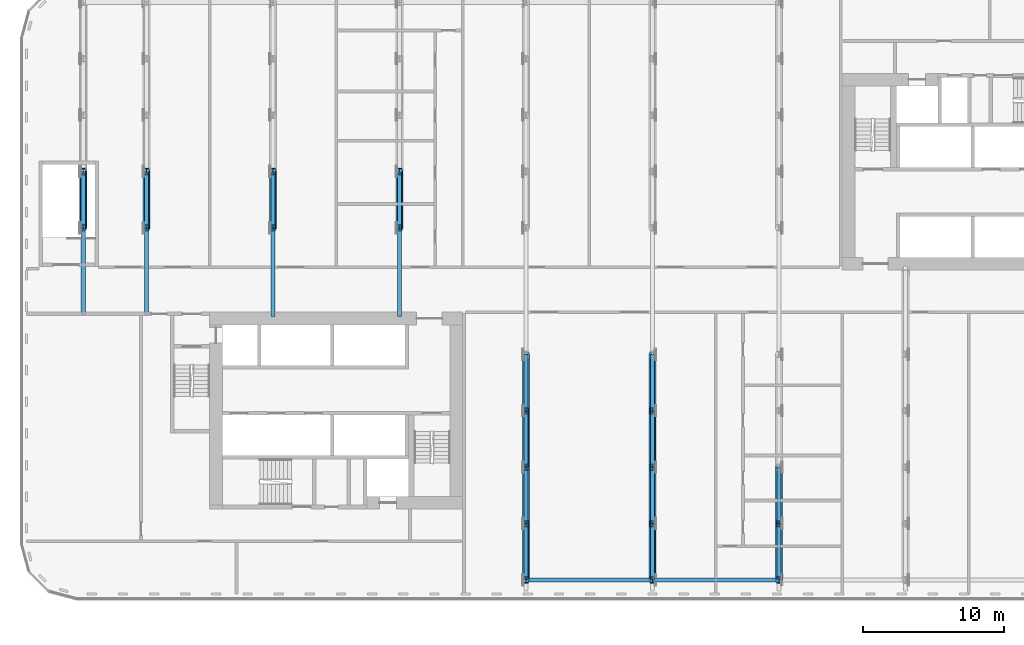
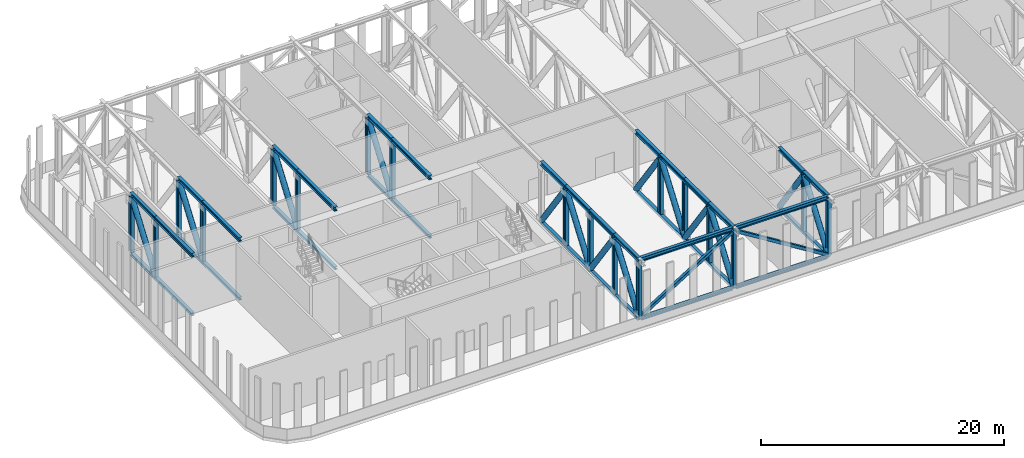
# One storey, part 1 of 26: 74 members.
"""IFC4 building model written with IfcOpenShell, lengths in metres."""

from ifc_helpers import new_model, si_unit, direction, frame, origin, origin_2d, place, context, subcontext, project, spatial, hollow_rectangle, hollow_circle, i_section, extrude, material, material_profile, profile_set, type_object, element, save


model = new_model("IFC4")

# Units and contexts
model_context = context("Model", 3, precision=1e-05, world=origin(), true_north=direction((0.0, 1.0)))
body_context = subcontext(model_context, "Body", "Model", "MODEL_VIEW")
ifc_project = project(units=[si_unit("LENGTHUNIT", "METRE"), si_unit("AREAUNIT", "SQUARE_METRE"), si_unit("VOLUMEUNIT", "CUBIC_METRE"), si_unit("PLANEANGLEUNIT", "RADIAN"), si_unit("MASSUNIT", "GRAM", prefix="KILO")], contexts=[model_context])

# Site, building, storey
site_placement = place(None, origin())
site = spatial("IfcSite", under=ifc_project, at=site_placement, CompositionType="ELEMENT")
building_placement = place(site_placement, origin())
building = spatial("IfcBuilding", under=site, at=building_placement, Name="Kajstack Hotel Tower", CompositionType="ELEMENT")
storey_placement = place(building_placement, frame((0.0, 0.0, 47.0)))
storey = spatial("IfcBuildingStorey", under=building, at=storey_placement, Name="L07", CompositionType="ELEMENT", Elevation=47.0)

# Members
ifc_material = material(Name="Steel S355J2", Category="steel")
ifc_material_profile_1 = material_profile(ifc_material, i_section(OverallWidth=0.300048828125, OverallDepth=0.300048828125, WebThickness=0.010986328125, FlangeThickness=0.01904296875, FilletRadius=0.027099609375, at=origin_2d()), Name="HEB 300")
ifc_profile_set_1 = profile_set([ifc_material_profile_1], Name="Steel S355J2")
member_type_1 = type_object("IfcMemberType", Name="Belt truss bottom chord BB1 HEB 300", PredefinedType="CHORD", material=ifc_profile_set_1)
for number, where, z_axis, x_axis, name in (
    (1, (-8.85009765625, -20.550048828125, -0.14990234375), (1.0, 0.0, 0.0), (0.0, 1.0, 0.0), "S-belt-truss-L07-s05-b"),
    (2, (0.14990234375, -20.550048828125, -0.14990234375), (1.0, 0.0, 0.0), (0.0, 1.0, 0.0), "S-belt-truss-L07-s06-b"),
):
    element("IfcMember", number, at=place(storey_placement, frame(where, z_axis=z_axis, x_axis=x_axis)), inside=storey, type_object=member_type_1, Name=name, PredefinedType="CHORD", context=body_context, shape_type="SweptSolid", body=[
        extrude(i_section(OverallWidth=0.300048828125, OverallDepth=0.300048828125, WebThickness=0.010986328125, FlangeThickness=0.01904296875, FilletRadius=0.027099609375, at=origin_2d()), origin(), (0.0, 0.0, 1.0), 8.7001953125),
    ])
ifc_material_profile_2 = material_profile(ifc_material, hollow_rectangle(XDim=0.300048828125, YDim=0.300048828125, WallThickness=0.01611328125, InnerFilletRadius=0.01611328125, OuterFilletRadius=0.02392578125, at=origin_2d()), Name="SHS 300x300x16")
ifc_profile_set_2 = profile_set([ifc_material_profile_2], Name="Steel S355J2")
member_type_2 = type_object("IfcMemberType", Name="Belt truss diagonal BD1 SHS 300x300x16", PredefinedType="BRACE", material=ifc_profile_set_2)
for number, where, z_axis, x_axis, name in (
    (3, (-9.0, -20.550048828125, 0.0), (0.849052471267, 0.0, 0.528308528264), (0.0, 1.0, 0.0), "S-belt-truss-L07-s05-d"),
    (4, (9.0, -20.550048828125, 0.0), (-0.849052471267, 0.0, 0.528308528264), (0.0, -1.0, 0.0), "S-belt-truss-L07-s06-d"),
):
    element("IfcMember", number, at=place(storey_placement, frame(where, z_axis=z_axis, x_axis=x_axis)), inside=storey, type_object=member_type_2, Name=name, PredefinedType="BRACE", context=body_context, shape_type="SweptSolid", body=[
        extrude(hollow_rectangle(XDim=0.300048828125, YDim=0.300048828125, WallThickness=0.01611328125, InnerFilletRadius=0.01611328125, OuterFilletRadius=0.02392578125, at=origin_2d()), origin(), (0.0, 0.0, 1.0), 10.60009765625),
    ])
ifc_material_profile_3 = material_profile(ifc_material, i_section(OverallWidth=0.300048828125, OverallDepth=0.39990234375, WebThickness=0.013427734375, FlangeThickness=0.02392578125, FilletRadius=0.027099609375, at=origin_2d()), Name="HEB 400")
ifc_profile_set_3 = profile_set([ifc_material_profile_3], Name="Steel S355J2")
member_type_3 = type_object("IfcMemberType", Name="Belt truss top chord BT1 HEB 400", PredefinedType="CHORD", material=ifc_profile_set_3)
for number, where, z_axis, x_axis, name in (
    (5, (-8.85009765625, -20.550048828125, 5.800048828125), (1.0, 0.0, 0.0), (0.0, 1.0, 0.0), "S-belt-truss-L07-s05-t"),
    (6, (0.14990234375, -20.550048828125, 5.800048828125), (1.0, 0.0, 0.0), (0.0, 1.0, 0.0), "S-belt-truss-L07-s06-t"),
):
    element("IfcMember", number, at=place(storey_placement, frame(where, z_axis=z_axis, x_axis=x_axis)), inside=storey, type_object=member_type_3, Name=name, PredefinedType="CHORD", context=body_context, shape_type="SweptSolid", body=[
        extrude(i_section(OverallWidth=0.300048828125, OverallDepth=0.39990234375, WebThickness=0.013427734375, FlangeThickness=0.02392578125, FilletRadius=0.027099609375, at=origin_2d()), origin(), (0.0, 0.0, 1.0), 8.7001953125),
    ])
ifc_material_profile_4 = material_profile(ifc_material, i_section(OverallWidth=0.300048828125, OverallDepth=0.300048828125, WebThickness=0.010986328125, FlangeThickness=0.01904296875, FilletRadius=0.027099609375, at=origin_2d()), Name="HEB 300")
ifc_profile_set_4 = profile_set([ifc_material_profile_4], Name="Steel S355J2")
member_type_4 = type_object("IfcMemberType", Name="Transfer truss bottom chord BC1 HEB 300", PredefinedType="CHORD", material=ifc_profile_set_4)
member_1_placement = place(storey_placement, frame((-40.5, -1.64990234375, -0.14990234375), z_axis=(0.0, 1.0, 0.0), x_axis=(-1.0, 0.0, 0.0)))
element("IfcMember", 7, at=member_1_placement, inside=storey, type_object=member_type_4, Name="S-transfer-truss-L07--40p5-1-bc7", PredefinedType="CHORD", context=body_context, shape_type="SweptSolid", body=[
    extrude(i_section(OverallWidth=0.300048828125, OverallDepth=0.300048828125, WebThickness=0.010986328125, FlangeThickness=0.01904296875, FilletRadius=0.027099609375, at=origin_2d()), origin(), (0.0, 0.0, 1.0), 6.14990234375),
])
member_2_placement = place(storey_placement, frame((-40.5, 4.5, -0.14990234375), z_axis=(0.0, 1.0, 0.0), x_axis=(-1.0, 0.0, 0.0)))
element("IfcMember", 8, at=member_2_placement, inside=storey, type_object=member_type_4, Name="S-transfer-truss-L07--40p5-1-bc8", PredefinedType="CHORD", context=body_context, shape_type="SweptSolid", body=[
    extrude(i_section(OverallWidth=0.300048828125, OverallDepth=0.300048828125, WebThickness=0.010986328125, FlangeThickness=0.01904296875, FilletRadius=0.027099609375, at=origin_2d()), origin(), (0.0, 0.0, 1.0), 4.012451171875),
])
member_3_placement = place(storey_placement, frame((-36.0, -1.64990234375, -0.14990234375), z_axis=(0.0, 1.0, 0.0), x_axis=(-1.0, 0.0, 0.0)))
element("IfcMember", 9, at=member_3_placement, inside=storey, type_object=member_type_4, Name="S-transfer-truss-L07--36p0-1-bc7", PredefinedType="CHORD", context=body_context, shape_type="SweptSolid", body=[
    extrude(i_section(OverallWidth=0.300048828125, OverallDepth=0.300048828125, WebThickness=0.010986328125, FlangeThickness=0.01904296875, FilletRadius=0.027099609375, at=origin_2d()), origin(), (0.0, 0.0, 1.0), 6.14990234375),
])
member_4_placement = place(storey_placement, frame((-36.0, 4.5, -0.14990234375), z_axis=(0.0, 1.0, 0.0), x_axis=(-1.0, 0.0, 0.0)))
element("IfcMember", 10, at=member_4_placement, inside=storey, type_object=member_type_4, Name="S-transfer-truss-L07--36p0-1-bc8", PredefinedType="CHORD", context=body_context, shape_type="SweptSolid", body=[
    extrude(i_section(OverallWidth=0.300048828125, OverallDepth=0.300048828125, WebThickness=0.010986328125, FlangeThickness=0.01904296875, FilletRadius=0.027099609375, at=origin_2d()), origin(), (0.0, 0.0, 1.0), 4.012451171875),
])
member_5_placement = place(storey_placement, frame((-27.0, -1.800048828125, -0.14990234375), z_axis=(0.0, 1.0, 0.0), x_axis=(-1.0, 0.0, 0.0)))
element("IfcMember", 11, at=member_5_placement, inside=storey, type_object=member_type_4, Name="S-outrigger-truss-L07--27p0-1-bc7", PredefinedType="CHORD", context=body_context, shape_type="SweptSolid", body=[
    extrude(i_section(OverallWidth=0.300048828125, OverallDepth=0.300048828125, WebThickness=0.010986328125, FlangeThickness=0.01904296875, FilletRadius=0.027099609375, at=origin_2d()), origin(), (0.0, 0.0, 1.0), 6.300048828125),
])
member_6_placement = place(storey_placement, frame((-27.0, 4.5, -0.14990234375), z_axis=(0.0, 1.0, 0.0), x_axis=(-1.0, 0.0, 0.0)))
element("IfcMember", 12, at=member_6_placement, inside=storey, type_object=member_type_4, Name="S-outrigger-truss-L07--27p0-1-bc8", PredefinedType="CHORD", context=body_context, shape_type="SweptSolid", body=[
    extrude(i_section(OverallWidth=0.300048828125, OverallDepth=0.300048828125, WebThickness=0.010986328125, FlangeThickness=0.01904296875, FilletRadius=0.027099609375, at=origin_2d()), origin(), (0.0, 0.0, 1.0), 4.012451171875),
])
member_7_placement = place(storey_placement, frame((-18.0, -1.800048828125, -0.14990234375), z_axis=(0.0, 1.0, 0.0), x_axis=(-1.0, 0.0, 0.0)))
element("IfcMember", 13, at=member_7_placement, inside=storey, type_object=member_type_4, Name="S-outrigger-truss-L07--18p0-1-bc7", PredefinedType="CHORD", context=body_context, shape_type="SweptSolid", body=[
    extrude(i_section(OverallWidth=0.300048828125, OverallDepth=0.300048828125, WebThickness=0.010986328125, FlangeThickness=0.01904296875, FilletRadius=0.027099609375, at=origin_2d()), origin(), (0.0, 0.0, 1.0), 6.300048828125),
])
for number, where, z_axis, x_axis, name in (
    (14, (-18.0, 4.5, -0.14990234375), (0.0, 1.0, 0.0), (-1.0, 0.0, 0.0), "S-outrigger-truss-L07--18p0-1-bc8"),
    (15, (-9.0, -20.550048828125, -0.14990234375), (0.0, 1.0, 0.0), (-1.0, 0.0, 0.0), "S-transfer-truss-L07--9p0-1-bc12"),
):
    element("IfcMember", number, at=place(storey_placement, frame(where, z_axis=z_axis, x_axis=x_axis)), inside=storey, type_object=member_type_4, Name=name, PredefinedType="CHORD", context=body_context, shape_type="SweptSolid", body=[
        extrude(i_section(OverallWidth=0.300048828125, OverallDepth=0.300048828125, WebThickness=0.010986328125, FlangeThickness=0.01904296875, FilletRadius=0.027099609375, at=origin_2d()), origin(), (0.0, 0.0, 1.0), 4.012451171875),
    ])
member_8_placement = place(storey_placement, frame((-9.0, -16.53759765625, -0.14990234375), z_axis=(0.0, 1.0, 0.0), x_axis=(-1.0, 0.0, 0.0)))
element("IfcMember", 16, at=member_8_placement, inside=storey, type_object=member_type_4, Name="S-transfer-truss-L07--9p0-1-bc13", PredefinedType="CHORD", context=body_context, shape_type="SweptSolid", body=[
    extrude(i_section(OverallWidth=0.300048828125, OverallDepth=0.300048828125, WebThickness=0.010986328125, FlangeThickness=0.01904296875, FilletRadius=0.027099609375, at=origin_2d()), origin(), (0.0, 0.0, 1.0), 4.0126953125),
])
for number, where, z_axis, x_axis, name in (
    (17, (-9.0, -12.52490234375, -0.14990234375), (0.0, 1.0, 0.0), (-1.0, 0.0, 0.0), "S-transfer-truss-L07--9p0-1-bc14"),
    (18, (-9.0, -8.512451171875, -0.14990234375), (0.0, 1.0, 0.0), (-1.0, 0.0, 0.0), "S-transfer-truss-L07--9p0-1-bc15"),
    (19, (0.0, -20.550048828125, -0.14990234375), (0.0, 1.0, 0.0), (-1.0, 0.0, 0.0), "S-transfer-truss-L07-+0p0-1-bc12"),
):
    element("IfcMember", number, at=place(storey_placement, frame(where, z_axis=z_axis, x_axis=x_axis)), inside=storey, type_object=member_type_4, Name=name, PredefinedType="CHORD", context=body_context, shape_type="SweptSolid", body=[
        extrude(i_section(OverallWidth=0.300048828125, OverallDepth=0.300048828125, WebThickness=0.010986328125, FlangeThickness=0.01904296875, FilletRadius=0.027099609375, at=origin_2d()), origin(), (0.0, 0.0, 1.0), 4.012451171875),
    ])
member_9_placement = place(storey_placement, frame((0.0, -16.53759765625, -0.14990234375), z_axis=(0.0, 1.0, 0.0), x_axis=(-1.0, 0.0, 0.0)))
element("IfcMember", 20, at=member_9_placement, inside=storey, type_object=member_type_4, Name="S-transfer-truss-L07-+0p0-1-bc13", PredefinedType="CHORD", context=body_context, shape_type="SweptSolid", body=[
    extrude(i_section(OverallWidth=0.300048828125, OverallDepth=0.300048828125, WebThickness=0.010986328125, FlangeThickness=0.01904296875, FilletRadius=0.027099609375, at=origin_2d()), origin(), (0.0, 0.0, 1.0), 4.0126953125),
])
for number, where, z_axis, x_axis, name in (
    (21, (0.0, -12.52490234375, -0.14990234375), (0.0, 1.0, 0.0), (-1.0, 0.0, 0.0), "S-transfer-truss-L07-+0p0-1-bc14"),
    (22, (0.0, -8.512451171875, -0.14990234375), (0.0, 1.0, 0.0), (-1.0, 0.0, 0.0), "S-transfer-truss-L07-+0p0-1-bc15"),
    (23, (9.0, -20.550048828125, -0.14990234375), (0.0, 1.0, 0.0), (-1.0, 0.0, 0.0), "S-transfer-truss-L07-+9p0-1-bc12"),
):
    element("IfcMember", number, at=place(storey_placement, frame(where, z_axis=z_axis, x_axis=x_axis)), inside=storey, type_object=member_type_4, Name=name, PredefinedType="CHORD", context=body_context, shape_type="SweptSolid", body=[
        extrude(i_section(OverallWidth=0.300048828125, OverallDepth=0.300048828125, WebThickness=0.010986328125, FlangeThickness=0.01904296875, FilletRadius=0.027099609375, at=origin_2d()), origin(), (0.0, 0.0, 1.0), 4.012451171875),
    ])
member_10_placement = place(storey_placement, frame((9.0, -16.53759765625, -0.14990234375), z_axis=(0.0, 1.0, 0.0), x_axis=(-1.0, 0.0, 0.0)))
element("IfcMember", 24, at=member_10_placement, inside=storey, type_object=member_type_4, Name="S-transfer-truss-L07-+9p0-1-bc13", PredefinedType="CHORD", context=body_context, shape_type="SweptSolid", body=[
    extrude(i_section(OverallWidth=0.300048828125, OverallDepth=0.300048828125, WebThickness=0.010986328125, FlangeThickness=0.01904296875, FilletRadius=0.027099609375, at=origin_2d()), origin(), (0.0, 0.0, 1.0), 4.0126953125),
])
ifc_material_profile_5 = material_profile(ifc_material, hollow_circle(Radius=0.25390625, WallThickness=0.02490234375, at=origin_2d()), Name="CHS 508x25")
ifc_profile_set_5 = profile_set([ifc_material_profile_5], Name="Steel S355J2")
member_type_5 = type_object("IfcMemberType", Name="Transfer truss diagonal DG1 CHS 508x25", PredefinedType="BRACE", material=ifc_profile_set_5)
for number, where, z_axis, x_axis, name in (
    (25, (-40.5, 4.5, 0.0), (0.0, 0.582427626866, 0.812882561914), (-1.0, 0.0, 0.0), "S-transfer-truss-L07--40p5-1-dg17"),
    (26, (-36.0, 4.5, 0.0), (0.0, 0.582427626866, 0.812882561914), (-1.0, 0.0, 0.0), "S-transfer-truss-L07--36p0-1-dg17"),
    (27, (-27.0, 4.5, 0.0), (0.0, 0.582427626866, 0.812882561914), (-1.0, 0.0, 0.0), "S-outrigger-truss-L07--27p0-1-dg17"),
    (28, (-18.0, 4.5, 0.0), (0.0, 0.582427626866, 0.812882561914), (-1.0, 0.0, 0.0), "S-outrigger-truss-L07--18p0-1-dg17"),
    (29, (-9.0, -20.550048828125, 0.0), (0.0, 0.582427626866, 0.812882561914), (-1.0, 0.0, 0.0), "S-transfer-truss-L07--9p0-1-dg31"),
):
    element("IfcMember", number, at=place(storey_placement, frame(where, z_axis=z_axis, x_axis=x_axis)), inside=storey, type_object=member_type_5, Name=name, PredefinedType="BRACE", context=body_context, shape_type="SweptSolid", body=[
        extrude(hollow_circle(Radius=0.25390625, WallThickness=0.02490234375, at=origin_2d()), origin(), (0.0, 0.0, 1.0), 6.88916015625),
    ])
member_11_placement = place(storey_placement, frame((-9.0, -12.52490234375, 0.0), z_axis=(0.0, -0.582451042959, 0.812865783851), x_axis=(1.0, 0.0, 0.0)))
element("IfcMember", 30, at=member_11_placement, inside=storey, type_object=member_type_5, Name="S-transfer-truss-L07--9p0-1-dg32", PredefinedType="BRACE", context=body_context, shape_type="SweptSolid", body=[
    extrude(hollow_circle(Radius=0.25390625, WallThickness=0.02490234375, at=origin_2d()), origin(), (0.0, 0.0, 1.0), 6.889404296875),
])
for number, where, z_axis, x_axis, name in (
    (31, (-9.0, -12.52490234375, 0.0), (0.0, 0.582427626866, 0.812882561914), (-1.0, 0.0, 0.0), "S-transfer-truss-L07--9p0-1-dg33"),
    (32, (-9.0, -4.5, 0.0), (0.0, -0.582427626866, 0.812882561914), (1.0, 0.0, 0.0), "S-transfer-truss-L07--9p0-1-dg34"),
    (33, (0.0, -20.550048828125, 0.0), (0.0, 0.582427626866, 0.812882561914), (-1.0, 0.0, 0.0), "S-transfer-truss-L07-+0p0-1-dg31"),
):
    element("IfcMember", number, at=place(storey_placement, frame(where, z_axis=z_axis, x_axis=x_axis)), inside=storey, type_object=member_type_5, Name=name, PredefinedType="BRACE", context=body_context, shape_type="SweptSolid", body=[
        extrude(hollow_circle(Radius=0.25390625, WallThickness=0.02490234375, at=origin_2d()), origin(), (0.0, 0.0, 1.0), 6.88916015625),
    ])
member_12_placement = place(storey_placement, frame((0.0, -12.52490234375, 0.0), z_axis=(0.0, -0.582451042959, 0.812865783851), x_axis=(1.0, 0.0, 0.0)))
element("IfcMember", 34, at=member_12_placement, inside=storey, type_object=member_type_5, Name="S-transfer-truss-L07-+0p0-1-dg32", PredefinedType="BRACE", context=body_context, shape_type="SweptSolid", body=[
    extrude(hollow_circle(Radius=0.25390625, WallThickness=0.02490234375, at=origin_2d()), origin(), (0.0, 0.0, 1.0), 6.889404296875),
])
for number, where, z_axis, x_axis, name in (
    (35, (0.0, -12.52490234375, 0.0), (0.0, 0.582427626866, 0.812882561914), (-1.0, 0.0, 0.0), "S-transfer-truss-L07-+0p0-1-dg33"),
    (36, (0.0, -4.5, 0.0), (0.0, -0.582427626866, 0.812882561914), (1.0, 0.0, 0.0), "S-transfer-truss-L07-+0p0-1-dg34"),
    (37, (9.0, -20.550048828125, 0.0), (0.0, 0.582427626866, 0.812882561914), (-1.0, 0.0, 0.0), "S-transfer-truss-L07-+9p0-1-dg31"),
):
    element("IfcMember", number, at=place(storey_placement, frame(where, z_axis=z_axis, x_axis=x_axis)), inside=storey, type_object=member_type_5, Name=name, PredefinedType="BRACE", context=body_context, shape_type="SweptSolid", body=[
        extrude(hollow_circle(Radius=0.25390625, WallThickness=0.02490234375, at=origin_2d()), origin(), (0.0, 0.0, 1.0), 6.88916015625),
    ])
member_13_placement = place(storey_placement, frame((9.0, -12.52490234375, 0.0), z_axis=(0.0, -0.582451042959, 0.812865783851), x_axis=(1.0, 0.0, 0.0)))
element("IfcMember", 38, at=member_13_placement, inside=storey, type_object=member_type_5, Name="S-transfer-truss-L07-+9p0-1-dg32", PredefinedType="BRACE", context=body_context, shape_type="SweptSolid", body=[
    extrude(hollow_circle(Radius=0.25390625, WallThickness=0.02490234375, at=origin_2d()), origin(), (0.0, 0.0, 1.0), 6.889404296875),
])
ifc_material_profile_6 = material_profile(ifc_material, i_section(OverallWidth=0.306884765625, OverallDepth=0.431884765625, WebThickness=0.02099609375, FlangeThickness=0.0400390625, FilletRadius=0.027099609375, at=origin_2d()), Name="HEM 400")
ifc_profile_set_6 = profile_set([ifc_material_profile_6], Name="Steel S355J2")
member_type_6 = type_object("IfcMemberType", Name="Transfer truss post PO1 HEM 400", PredefinedType="POST", material=ifc_profile_set_6)
for number, where, z_axis, x_axis, name in (
    (39, (-40.5, 4.5, 0.0), (0.0, 0.0, 1.0), (1.0, 0.0, 0.0), "S-transfer-truss-L07--40p5-1-po12"),
    (40, (-40.5, 8.512451171875, 0.0), (0.0, 0.0, 1.0), (1.0, 0.0, 0.0), "S-transfer-truss-L07--40p5-1-po13"),
    (41, (-36.0, 4.5, 0.0), (0.0, 0.0, 1.0), (1.0, 0.0, 0.0), "S-transfer-truss-L07--36p0-1-po12"),
    (42, (-36.0, 8.512451171875, 0.0), (0.0, 0.0, 1.0), (1.0, 0.0, 0.0), "S-transfer-truss-L07--36p0-1-po13"),
    (43, (-27.0, 4.5, 0.0), (0.0, 0.0, 1.0), (1.0, 0.0, 0.0), "S-outrigger-truss-L07--27p0-1-po12"),
    (44, (-27.0, 8.512451171875, 0.0), (0.0, 0.0, 1.0), (1.0, 0.0, 0.0), "S-outrigger-truss-L07--27p0-1-po13"),
    (45, (-18.0, 4.5, 0.0), (0.0, 0.0, 1.0), (1.0, 0.0, 0.0), "S-outrigger-truss-L07--18p0-1-po12"),
    (46, (-18.0, 8.512451171875, 0.0), (0.0, 0.0, 1.0), (1.0, 0.0, 0.0), "S-outrigger-truss-L07--18p0-1-po13"),
    (47, (-9.0, -20.550048828125, 0.0), (0.0, 0.0, 1.0), (1.0, 0.0, 0.0), "S-transfer-truss-L07--9p0-1-po21"),
    (48, (-9.0, -16.53759765625, 0.0), (0.0, 0.0, 1.0), (1.0, 0.0, 0.0), "S-transfer-truss-L07--9p0-1-po22"),
    (49, (-9.0, -12.52490234375, 0.0), (0.0, 0.0, 1.0), (1.0, 0.0, 0.0), "S-transfer-truss-L07--9p0-1-po23"),
    (50, (-9.0, -8.512451171875, 0.0), (0.0, 0.0, 1.0), (1.0, 0.0, 0.0), "S-transfer-truss-L07--9p0-1-po24"),
    (51, (0.0, -20.550048828125, 0.0), (0.0, 0.0, 1.0), (1.0, 0.0, 0.0), "S-transfer-truss-L07-+0p0-1-po21"),
    (52, (0.0, -16.53759765625, 0.0), (0.0, 0.0, 1.0), (1.0, 0.0, 0.0), "S-transfer-truss-L07-+0p0-1-po22"),
    (53, (0.0, -12.52490234375, 0.0), (0.0, 0.0, 1.0), (1.0, 0.0, 0.0), "S-transfer-truss-L07-+0p0-1-po23"),
    (54, (0.0, -8.512451171875, 0.0), (0.0, 0.0, 1.0), (1.0, 0.0, 0.0), "S-transfer-truss-L07-+0p0-1-po24"),
    (55, (9.0, -20.550048828125, 0.0), (0.0, 0.0, 1.0), (1.0, 0.0, 0.0), "S-transfer-truss-L07-+9p0-1-po21"),
    (56, (9.0, -16.53759765625, 0.0), (0.0, 0.0, 1.0), (1.0, 0.0, 0.0), "S-transfer-truss-L07-+9p0-1-po22"),
):
    element("IfcMember", number, at=place(storey_placement, frame(where, z_axis=z_axis, x_axis=x_axis)), inside=storey, type_object=member_type_6, Name=name, PredefinedType="POST", context=body_context, shape_type="SweptSolid", body=[
        extrude(i_section(OverallWidth=0.306884765625, OverallDepth=0.431884765625, WebThickness=0.02099609375, FlangeThickness=0.0400390625, FilletRadius=0.027099609375, at=origin_2d()), origin(), (0.0, 0.0, 1.0), 5.60009765625),
    ])
ifc_material_profile_7 = material_profile(ifc_material, i_section(OverallWidth=0.300048828125, OverallDepth=0.39990234375, WebThickness=0.013427734375, FlangeThickness=0.02392578125, FilletRadius=0.027099609375, at=origin_2d()), Name="HEB 400")
ifc_profile_set_7 = profile_set([ifc_material_profile_7], Name="Steel S355J2")
member_type_7 = type_object("IfcMemberType", Name="Transfer truss top chord TC1 HEB 400", PredefinedType="CHORD", material=ifc_profile_set_7)
member_14_placement = place(storey_placement, frame((-40.5, -1.64990234375, 5.800048828125), z_axis=(0.0, 1.0, 0.0), x_axis=(-1.0, 0.0, 0.0)))
element("IfcMember", 57, at=member_14_placement, inside=storey, type_object=member_type_7, Name="S-transfer-truss-L07--40p5-1-tc1", PredefinedType="CHORD", context=body_context, shape_type="SweptSolid", body=[
    extrude(i_section(OverallWidth=0.300048828125, OverallDepth=0.39990234375, WebThickness=0.013427734375, FlangeThickness=0.02392578125, FilletRadius=0.027099609375, at=origin_2d()), origin(), (0.0, 0.0, 1.0), 6.14990234375),
])
member_15_placement = place(storey_placement, frame((-40.5, 4.5, 5.800048828125), z_axis=(0.0, 1.0, 0.0), x_axis=(-1.0, 0.0, 0.0)))
element("IfcMember", 58, at=member_15_placement, inside=storey, type_object=member_type_7, Name="S-transfer-truss-L07--40p5-1-tc2", PredefinedType="CHORD", context=body_context, shape_type="SweptSolid", body=[
    extrude(i_section(OverallWidth=0.300048828125, OverallDepth=0.39990234375, WebThickness=0.013427734375, FlangeThickness=0.02392578125, FilletRadius=0.027099609375, at=origin_2d()), origin(), (0.0, 0.0, 1.0), 4.012451171875),
])
member_16_placement = place(storey_placement, frame((-36.0, -1.64990234375, 5.800048828125), z_axis=(0.0, 1.0, 0.0), x_axis=(-1.0, 0.0, 0.0)))
element("IfcMember", 59, at=member_16_placement, inside=storey, type_object=member_type_7, Name="S-transfer-truss-L07--36p0-1-tc1", PredefinedType="CHORD", context=body_context, shape_type="SweptSolid", body=[
    extrude(i_section(OverallWidth=0.300048828125, OverallDepth=0.39990234375, WebThickness=0.013427734375, FlangeThickness=0.02392578125, FilletRadius=0.027099609375, at=origin_2d()), origin(), (0.0, 0.0, 1.0), 6.14990234375),
])
member_17_placement = place(storey_placement, frame((-36.0, 4.5, 5.800048828125), z_axis=(0.0, 1.0, 0.0), x_axis=(-1.0, 0.0, 0.0)))
element("IfcMember", 60, at=member_17_placement, inside=storey, type_object=member_type_7, Name="S-transfer-truss-L07--36p0-1-tc2", PredefinedType="CHORD", context=body_context, shape_type="SweptSolid", body=[
    extrude(i_section(OverallWidth=0.300048828125, OverallDepth=0.39990234375, WebThickness=0.013427734375, FlangeThickness=0.02392578125, FilletRadius=0.027099609375, at=origin_2d()), origin(), (0.0, 0.0, 1.0), 4.012451171875),
])
member_18_placement = place(storey_placement, frame((-27.0, -1.800048828125, 5.800048828125), z_axis=(0.0, 1.0, 0.0), x_axis=(-1.0, 0.0, 0.0)))
element("IfcMember", 61, at=member_18_placement, inside=storey, type_object=member_type_7, Name="S-outrigger-truss-L07--27p0-1-tc1", PredefinedType="CHORD", context=body_context, shape_type="SweptSolid", body=[
    extrude(i_section(OverallWidth=0.300048828125, OverallDepth=0.39990234375, WebThickness=0.013427734375, FlangeThickness=0.02392578125, FilletRadius=0.027099609375, at=origin_2d()), origin(), (0.0, 0.0, 1.0), 6.300048828125),
])
member_19_placement = place(storey_placement, frame((-27.0, 4.5, 5.800048828125), z_axis=(0.0, 1.0, 0.0), x_axis=(-1.0, 0.0, 0.0)))
element("IfcMember", 62, at=member_19_placement, inside=storey, type_object=member_type_7, Name="S-outrigger-truss-L07--27p0-1-tc2", PredefinedType="CHORD", context=body_context, shape_type="SweptSolid", body=[
    extrude(i_section(OverallWidth=0.300048828125, OverallDepth=0.39990234375, WebThickness=0.013427734375, FlangeThickness=0.02392578125, FilletRadius=0.027099609375, at=origin_2d()), origin(), (0.0, 0.0, 1.0), 4.012451171875),
])
member_20_placement = place(storey_placement, frame((-18.0, -1.800048828125, 5.800048828125), z_axis=(0.0, 1.0, 0.0), x_axis=(-1.0, 0.0, 0.0)))
element("IfcMember", 63, at=member_20_placement, inside=storey, type_object=member_type_7, Name="S-outrigger-truss-L07--18p0-1-tc1", PredefinedType="CHORD", context=body_context, shape_type="SweptSolid", body=[
    extrude(i_section(OverallWidth=0.300048828125, OverallDepth=0.39990234375, WebThickness=0.013427734375, FlangeThickness=0.02392578125, FilletRadius=0.027099609375, at=origin_2d()), origin(), (0.0, 0.0, 1.0), 6.300048828125),
])
for number, where, z_axis, x_axis, name in (
    (64, (-18.0, 4.5, 5.800048828125), (0.0, 1.0, 0.0), (-1.0, 0.0, 0.0), "S-outrigger-truss-L07--18p0-1-tc2"),
    (65, (-9.0, -20.550048828125, 5.800048828125), (0.0, 1.0, 0.0), (-1.0, 0.0, 0.0), "S-transfer-truss-L07--9p0-1-tc2"),
):
    element("IfcMember", number, at=place(storey_placement, frame(where, z_axis=z_axis, x_axis=x_axis)), inside=storey, type_object=member_type_7, Name=name, PredefinedType="CHORD", context=body_context, shape_type="SweptSolid", body=[
        extrude(i_section(OverallWidth=0.300048828125, OverallDepth=0.39990234375, WebThickness=0.013427734375, FlangeThickness=0.02392578125, FilletRadius=0.027099609375, at=origin_2d()), origin(), (0.0, 0.0, 1.0), 4.012451171875),
    ])
member_21_placement = place(storey_placement, frame((-9.0, -16.53759765625, 5.800048828125), z_axis=(0.0, 1.0, 0.0), x_axis=(-1.0, 0.0, 0.0)))
element("IfcMember", 66, at=member_21_placement, inside=storey, type_object=member_type_7, Name="S-transfer-truss-L07--9p0-1-tc3", PredefinedType="CHORD", context=body_context, shape_type="SweptSolid", body=[
    extrude(i_section(OverallWidth=0.300048828125, OverallDepth=0.39990234375, WebThickness=0.013427734375, FlangeThickness=0.02392578125, FilletRadius=0.027099609375, at=origin_2d()), origin(), (0.0, 0.0, 1.0), 4.0126953125),
])
for number, where, z_axis, x_axis, name in (
    (67, (-9.0, -12.52490234375, 5.800048828125), (0.0, 1.0, 0.0), (-1.0, 0.0, 0.0), "S-transfer-truss-L07--9p0-1-tc4"),
    (68, (-9.0, -8.512451171875, 5.800048828125), (0.0, 1.0, 0.0), (-1.0, 0.0, 0.0), "S-transfer-truss-L07--9p0-1-tc5"),
    (69, (0.0, -20.550048828125, 5.800048828125), (0.0, 1.0, 0.0), (-1.0, 0.0, 0.0), "S-transfer-truss-L07-+0p0-1-tc2"),
):
    element("IfcMember", number, at=place(storey_placement, frame(where, z_axis=z_axis, x_axis=x_axis)), inside=storey, type_object=member_type_7, Name=name, PredefinedType="CHORD", context=body_context, shape_type="SweptSolid", body=[
        extrude(i_section(OverallWidth=0.300048828125, OverallDepth=0.39990234375, WebThickness=0.013427734375, FlangeThickness=0.02392578125, FilletRadius=0.027099609375, at=origin_2d()), origin(), (0.0, 0.0, 1.0), 4.012451171875),
    ])
member_22_placement = place(storey_placement, frame((0.0, -16.53759765625, 5.800048828125), z_axis=(0.0, 1.0, 0.0), x_axis=(-1.0, 0.0, 0.0)))
element("IfcMember", 70, at=member_22_placement, inside=storey, type_object=member_type_7, Name="S-transfer-truss-L07-+0p0-1-tc3", PredefinedType="CHORD", context=body_context, shape_type="SweptSolid", body=[
    extrude(i_section(OverallWidth=0.300048828125, OverallDepth=0.39990234375, WebThickness=0.013427734375, FlangeThickness=0.02392578125, FilletRadius=0.027099609375, at=origin_2d()), origin(), (0.0, 0.0, 1.0), 4.0126953125),
])
for number, where, z_axis, x_axis, name in (
    (71, (0.0, -12.52490234375, 5.800048828125), (0.0, 1.0, 0.0), (-1.0, 0.0, 0.0), "S-transfer-truss-L07-+0p0-1-tc4"),
    (72, (0.0, -8.512451171875, 5.800048828125), (0.0, 1.0, 0.0), (-1.0, 0.0, 0.0), "S-transfer-truss-L07-+0p0-1-tc5"),
    (73, (9.0, -20.550048828125, 5.800048828125), (0.0, 1.0, 0.0), (-1.0, 0.0, 0.0), "S-transfer-truss-L07-+9p0-1-tc2"),
):
    element("IfcMember", number, at=place(storey_placement, frame(where, z_axis=z_axis, x_axis=x_axis)), inside=storey, type_object=member_type_7, Name=name, PredefinedType="CHORD", context=body_context, shape_type="SweptSolid", body=[
        extrude(i_section(OverallWidth=0.300048828125, OverallDepth=0.39990234375, WebThickness=0.013427734375, FlangeThickness=0.02392578125, FilletRadius=0.027099609375, at=origin_2d()), origin(), (0.0, 0.0, 1.0), 4.012451171875),
    ])
member_23_placement = place(storey_placement, frame((9.0, -16.53759765625, 5.800048828125), z_axis=(0.0, 1.0, 0.0), x_axis=(-1.0, 0.0, 0.0)))
element("IfcMember", 74, at=member_23_placement, inside=storey, type_object=member_type_7, Name="S-transfer-truss-L07-+9p0-1-tc3", PredefinedType="CHORD", context=body_context, shape_type="SweptSolid", body=[
    extrude(i_section(OverallWidth=0.300048828125, OverallDepth=0.39990234375, WebThickness=0.013427734375, FlangeThickness=0.02392578125, FilletRadius=0.027099609375, at=origin_2d()), origin(), (0.0, 0.0, 1.0), 4.0126953125),
])

save(model, "model.ifc")
